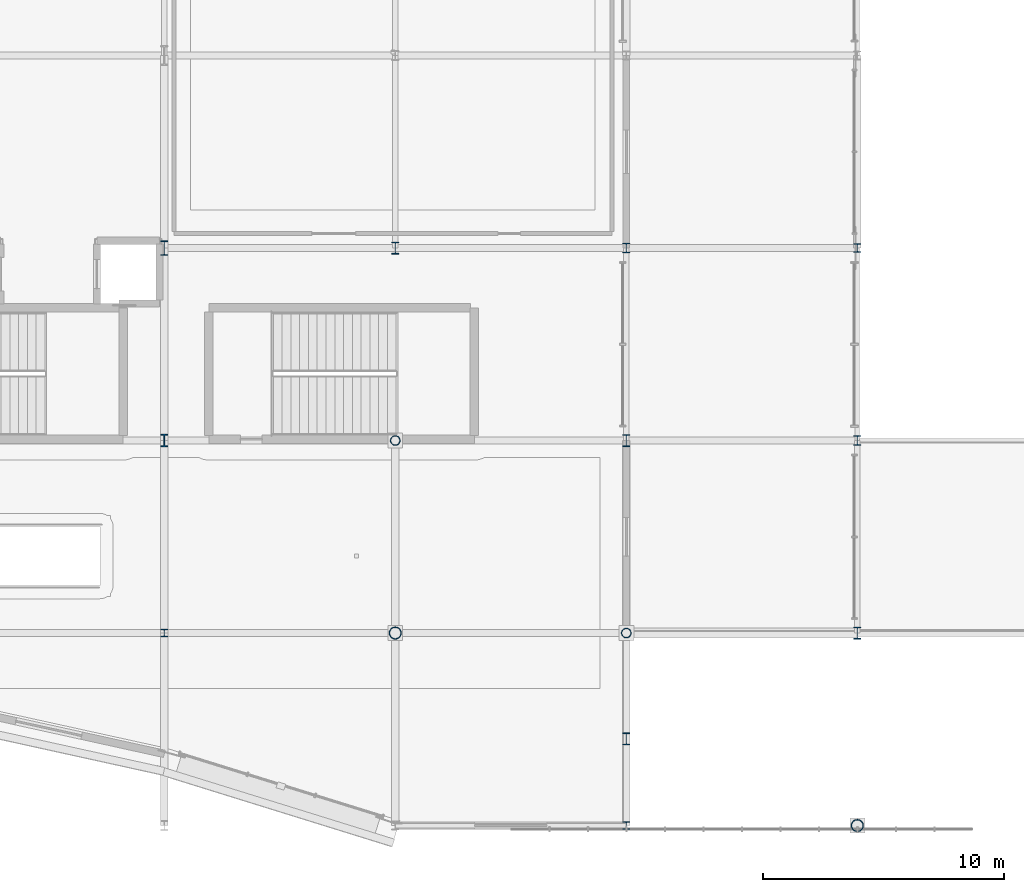
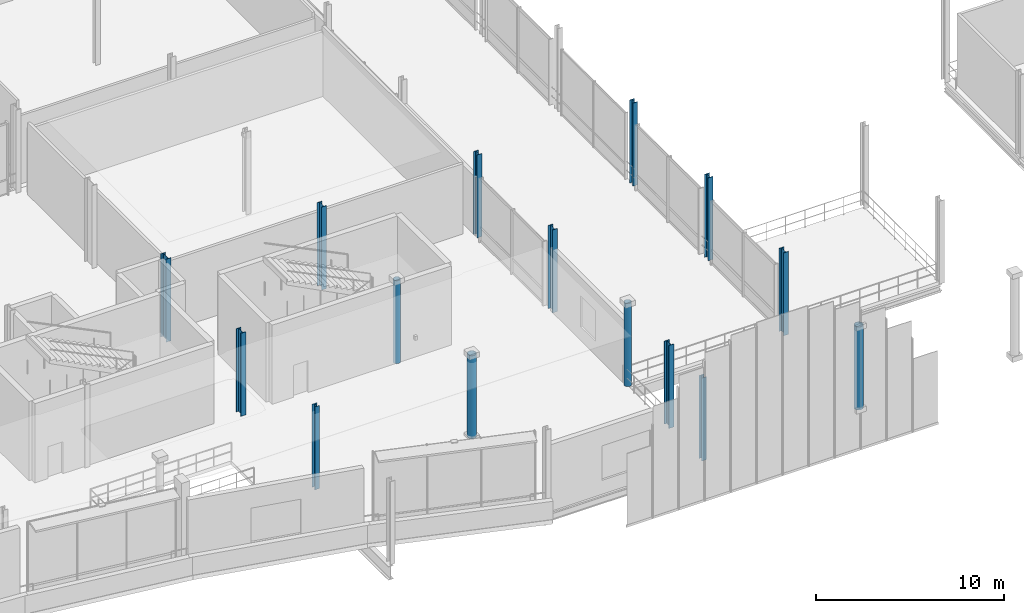
# One storey, part 6 of 129: 15 columns.
"""IFC4 building model written with IfcOpenShell, lengths in metres."""

from ifc_helpers import new_model, si_unit, direction, frame, origin, origin_2d, place, context, subcontext, project, spatial, hollow_circle, i_section, extrude, material, material_profile, profile_set, type_object, element, save


model = new_model("IFC4")

# Units and contexts
model_context = context("Model", 3, precision=1e-05, world=origin(), true_north=direction((0.0, 1.0)))
body_context = subcontext(model_context, "Body", "Model", "MODEL_VIEW")
ifc_project = project(units=[si_unit("LENGTHUNIT", "METRE"), si_unit("AREAUNIT", "SQUARE_METRE"), si_unit("VOLUMEUNIT", "CUBIC_METRE"), si_unit("PLANEANGLEUNIT", "RADIAN"), si_unit("MASSUNIT", "GRAM", prefix="KILO")], contexts=[model_context])

# Site, building, storey
site_placement = place(None, origin())
site = spatial("IfcSite", under=ifc_project, at=site_placement, CompositionType="ELEMENT")
building_placement = place(site_placement, origin())
building = spatial("IfcBuilding", under=site, at=building_placement, Name="Danafjord Basin Convention Centre", CompositionType="ELEMENT")
storey_placement = place(building_placement, frame((0.0, 0.0, 6.0)))
storey = spatial("IfcBuildingStorey", under=building, at=storey_placement, Name="L01", CompositionType="ELEMENT", Elevation=6.0)

# Columns
ifc_material = material(Name="Steel S355", Category="steel")
ifc_material_profile_1 = material_profile(ifc_material, hollow_circle(Radius=0.203125, WallThickness=0.02001953125, at=origin_2d()), Name="CHS 406.4x20.0")
ifc_profile_set_1 = profile_set([ifc_material_profile_1], Name="Steel S355")
column_type_1 = type_object("IfcColumnType", Name="COL-C-CHS406", PredefinedType="COLUMN", material=ifc_profile_set_1)
for number, where, z_axis, x_axis, name in (
    (1, (105.60009765625, 16.0, 0.0), (0.0, 0.0, 1.0), (1.0, 0.0, 0.0), "L01 column C-CHS406 at (105.6, 16.0)"),
    (2, (115.199951171875, 8.0, 0.0), (0.0, 0.0, 1.0), (1.0, 0.0, 0.0), "L01 column C-CHS406 at (115.2, 8.0)"),
):
    element("IfcColumn", number, at=place(storey_placement, frame(where, z_axis=z_axis, x_axis=x_axis)), inside=storey, type_object=column_type_1, Name=name, PredefinedType="COLUMN", context=body_context, shape_type="SweptSolid", body=[
        extrude(hollow_circle(Radius=0.203125, WallThickness=0.02001953125, at=origin_2d()), origin(), (0.0, 0.0, 1.0), 5.39990234375),
    ])
ifc_material_profile_2 = material_profile(ifc_material, hollow_circle(Radius=0.25390625, WallThickness=0.02490234375, at=origin_2d()), Name="CHS 508.0x25.0")
ifc_profile_set_2 = profile_set([ifc_material_profile_2], Name="Steel S355")
column_type_2 = type_object("IfcColumnType", Name="COL-C-CHS508", PredefinedType="COLUMN", material=ifc_profile_set_2)
for number, where, z_axis, x_axis, name in (
    (3, (105.60009765625, 8.0, 0.0), (0.0, 0.0, 1.0), (1.0, 0.0, 0.0), "L01 column C-CHS508 at (105.6, 8.0)"),
    (4, (124.800048828125, 0.0, 0.0), (0.0, 0.0, 1.0), (1.0, 0.0, 0.0), "L01 column C-CHS508 at (124.8, 0.0)"),
):
    element("IfcColumn", number, at=place(storey_placement, frame(where, z_axis=z_axis, x_axis=x_axis)), inside=storey, type_object=column_type_2, Name=name, PredefinedType="COLUMN", context=body_context, shape_type="SweptSolid", body=[
        extrude(hollow_circle(Radius=0.25390625, WallThickness=0.02490234375, at=origin_2d()), origin(), (0.0, 0.0, 1.0), 5.39990234375),
    ])
ifc_material_profile_3 = material_profile(ifc_material, i_section(OverallWidth=0.300048828125, OverallDepth=0.300048828125, WebThickness=0.010986328125, FlangeThickness=0.01904296875, FilletRadius=0.027099609375, at=origin_2d()), Name="HEB 300")
ifc_profile_set_3 = profile_set([ifc_material_profile_3], Name="Steel S355")
column_type_3 = type_object("IfcColumnType", Name="COL-C-HEB300", PredefinedType="COLUMN", material=ifc_profile_set_3)
for number, where, z_axis, x_axis, name in (
    (5, (96.0, 8.0, 0.0), (0.0, 0.0, 1.0), (1.0, 0.0, 0.0), "L01 column C-HEB300 at (96.0, 8.0)"),
    (6, (115.199951171875, 0.0, 0.0), (0.0, 0.0, 1.0), (1.0, 0.0, 0.0), "L01 column C-HEB300 at (115.2, 0.0)"),
):
    element("IfcColumn", number, at=place(storey_placement, frame(where, z_axis=z_axis, x_axis=x_axis)), inside=storey, type_object=column_type_3, Name=name, PredefinedType="COLUMN", context=body_context, shape_type="SweptSolid", body=[
        extrude(i_section(OverallWidth=0.300048828125, OverallDepth=0.300048828125, WebThickness=0.010986328125, FlangeThickness=0.01904296875, FilletRadius=0.027099609375, at=origin_2d()), origin(), (0.0, 0.0, 1.0), 5.39990234375),
    ])
ifc_material_profile_4 = material_profile(ifc_material, i_section(OverallWidth=0.300048828125, OverallDepth=0.360107421875, WebThickness=0.012451171875, FlangeThickness=0.0224609375, FilletRadius=0.027099609375, at=origin_2d()), Name="HEB 360")
ifc_profile_set_4 = profile_set([ifc_material_profile_4], Name="Steel S355")
column_type_4 = type_object("IfcColumnType", Name="COL-C-HEB360", PredefinedType="COLUMN", material=ifc_profile_set_4)
column_1_placement = place(storey_placement, frame((124.800048828125, 24.0, 0.0), z_axis=(0.0, 0.0, 1.0), x_axis=(1.0, 0.0, 0.0)))
element("IfcColumn", 7, at=column_1_placement, inside=storey, type_object=column_type_4, Name="L01 column C-HEB360 at (124.8, 24.0)", PredefinedType="COLUMN", context=body_context, shape_type="SweptSolid", body=[
    extrude(i_section(OverallWidth=0.300048828125, OverallDepth=0.360107421875, WebThickness=0.012451171875, FlangeThickness=0.0224609375, FilletRadius=0.027099609375, at=origin_2d()), origin(), (0.0, 0.0, 1.0), 5.39990234375),
])
ifc_material_profile_5 = material_profile(ifc_material, i_section(OverallWidth=0.300048828125, OverallDepth=0.39990234375, WebThickness=0.013427734375, FlangeThickness=0.02392578125, FilletRadius=0.027099609375, at=origin_2d()), Name="HEB 400")
ifc_profile_set_5 = profile_set([ifc_material_profile_5], Name="Steel S355")
column_type_5 = type_object("IfcColumnType", Name="COL-C-HEB400", PredefinedType="COLUMN", material=ifc_profile_set_5)
for number, where, z_axis, x_axis, name in (
    (8, (115.199951171875, 24.0, 0.0), (0.0, 0.0, 1.0), (1.0, 0.0, 0.0), "L01 column C-HEB400 at (115.2, 24.0)"),
    (9, (124.800048828125, 16.0, 0.0), (0.0, 0.0, 1.0), (1.0, 0.0, 0.0), "L01 column C-HEB400 at (124.8, 16.0)"),
):
    element("IfcColumn", number, at=place(storey_placement, frame(where, z_axis=z_axis, x_axis=x_axis)), inside=storey, type_object=column_type_5, Name=name, PredefinedType="COLUMN", context=body_context, shape_type="SweptSolid", body=[
        extrude(i_section(OverallWidth=0.300048828125, OverallDepth=0.39990234375, WebThickness=0.013427734375, FlangeThickness=0.02392578125, FilletRadius=0.027099609375, at=origin_2d()), origin(), (0.0, 0.0, 1.0), 5.39990234375),
    ])
ifc_material_profile_6 = material_profile(ifc_material, i_section(OverallWidth=0.300048828125, OverallDepth=0.5, WebThickness=0.014404296875, FlangeThickness=0.028076171875, FilletRadius=0.027099609375, at=origin_2d()), Name="HEB 500")
ifc_profile_set_6 = profile_set([ifc_material_profile_6], Name="Steel S355")
column_type_6 = type_object("IfcColumnType", Name="COL-C-HEB500", PredefinedType="COLUMN", material=ifc_profile_set_6)
for number, where, z_axis, x_axis, name in (
    (10, (105.60009765625, 24.0, 0.0), (0.0, 0.0, 1.0), (1.0, 0.0, 0.0), "L01 column C-HEB500 at (105.6, 24.0)"),
    (11, (115.199951171875, 16.0, 0.0), (0.0, 0.0, 1.0), (1.0, 0.0, 0.0), "L01 column C-HEB500 at (115.2, 16.0)"),
    (12, (124.800048828125, 8.0, 0.0), (0.0, 0.0, 1.0), (1.0, 0.0, 0.0), "L01 column C-HEB500 at (124.8, 8.0)"),
    (13, (115.199951171875, 3.60009765625, 0.0), (0.0, 0.0, 1.0), (1.0, 0.0, 0.0), "L01 column C-HEB500 at (115.2, 3.6)"),
):
    element("IfcColumn", number, at=place(storey_placement, frame(where, z_axis=z_axis, x_axis=x_axis)), inside=storey, type_object=column_type_6, Name=name, PredefinedType="COLUMN", context=body_context, shape_type="SweptSolid", body=[
        extrude(i_section(OverallWidth=0.300048828125, OverallDepth=0.5, WebThickness=0.014404296875, FlangeThickness=0.028076171875, FilletRadius=0.027099609375, at=origin_2d()), origin(), (0.0, 0.0, 1.0), 5.39990234375),
    ])
ifc_material_profile_7 = material_profile(ifc_material, i_section(OverallWidth=0.300048828125, OverallDepth=0.60009765625, WebThickness=0.015380859375, FlangeThickness=0.030029296875, FilletRadius=0.027099609375, at=origin_2d()), Name="HEB 600")
ifc_profile_set_7 = profile_set([ifc_material_profile_7], Name="Steel S355")
column_type_7 = type_object("IfcColumnType", Name="COL-C-HEB600", PredefinedType="COLUMN", material=ifc_profile_set_7)
column_2_placement = place(storey_placement, frame((96.0, 24.0, 0.0), z_axis=(0.0, 0.0, 1.0), x_axis=(1.0, 0.0, 0.0)))
element("IfcColumn", 14, at=column_2_placement, inside=storey, type_object=column_type_7, Name="L01 column C-HEB600 at (96.0, 24.0)", PredefinedType="COLUMN", context=body_context, shape_type="SweptSolid", body=[
    extrude(i_section(OverallWidth=0.300048828125, OverallDepth=0.60009765625, WebThickness=0.015380859375, FlangeThickness=0.030029296875, FilletRadius=0.027099609375, at=origin_2d()), origin(), (0.0, 0.0, 1.0), 5.39990234375),
])
ifc_material_profile_8 = material_profile(ifc_material, i_section(OverallWidth=0.305908203125, OverallDepth=0.52392578125, WebThickness=0.02099609375, FlangeThickness=0.0400390625, FilletRadius=0.027099609375, at=origin_2d()), Name="HEM 500")
ifc_profile_set_8 = profile_set([ifc_material_profile_8], Name="Steel S355")
column_type_8 = type_object("IfcColumnType", Name="COL-C-HEM500", PredefinedType="COLUMN", material=ifc_profile_set_8)
column_3_placement = place(storey_placement, frame((96.0, 16.0, 0.0), z_axis=(0.0, 0.0, 1.0), x_axis=(1.0, 0.0, 0.0)))
element("IfcColumn", 15, at=column_3_placement, inside=storey, type_object=column_type_8, Name="L01 column C-HEM500 at (96.0, 16.0)", PredefinedType="COLUMN", context=body_context, shape_type="SweptSolid", body=[
    extrude(i_section(OverallWidth=0.305908203125, OverallDepth=0.52392578125, WebThickness=0.02099609375, FlangeThickness=0.0400390625, FilletRadius=0.027099609375, at=origin_2d()), origin(), (0.0, 0.0, 1.0), 5.39990234375),
])

save(model, "model.ifc")
